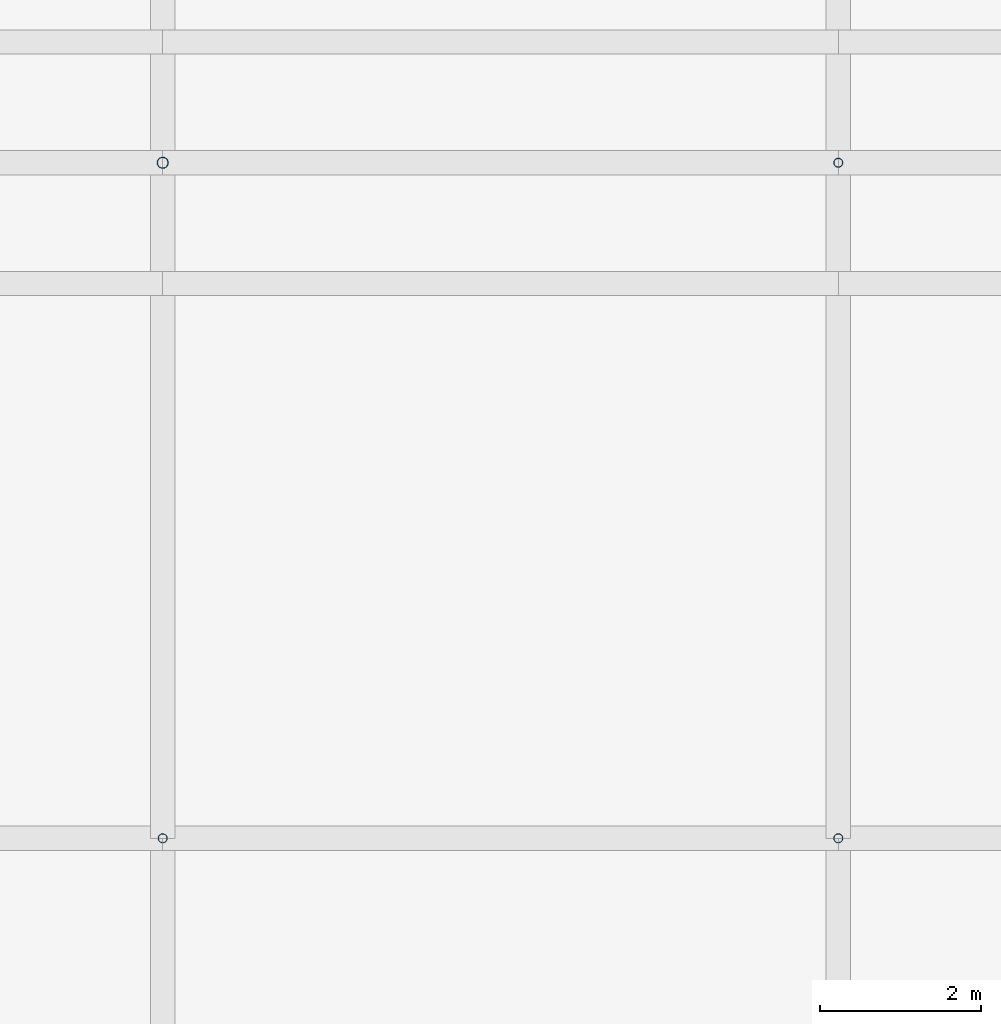
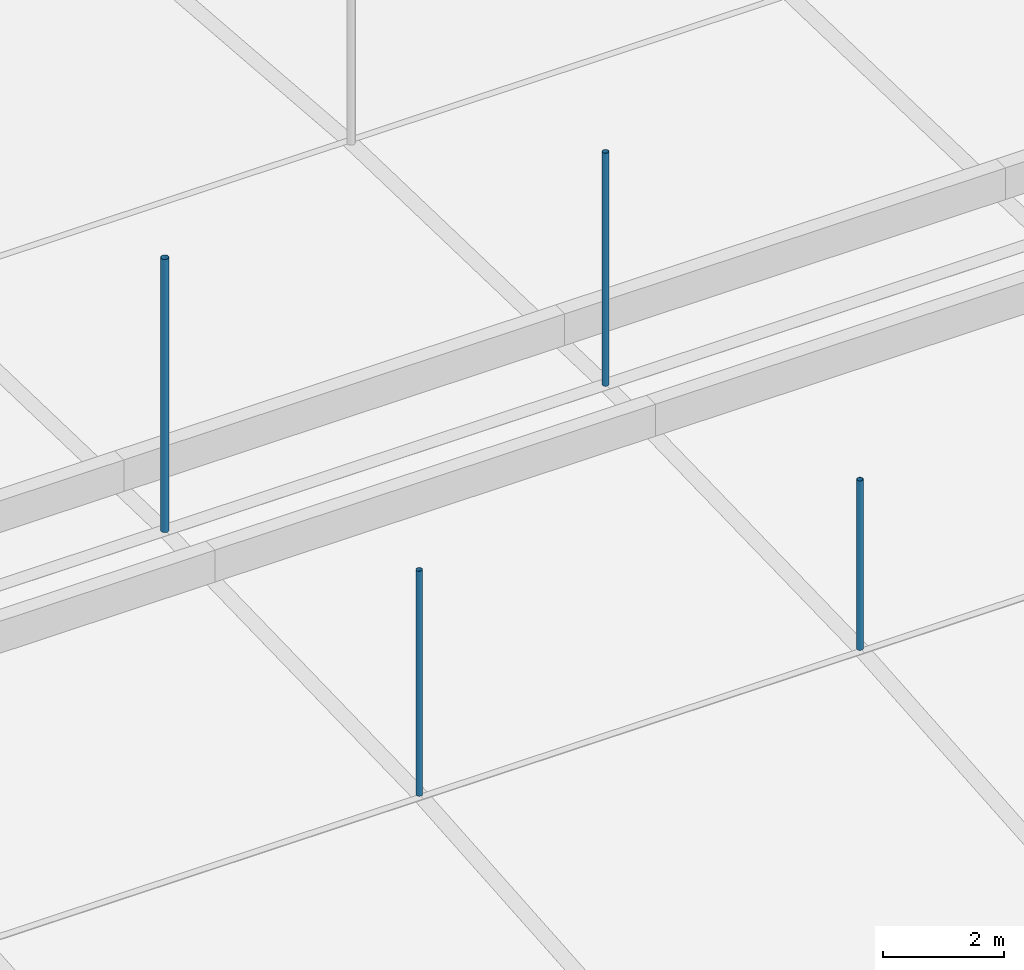
# One storey, part 14 of 37: 4 discrete accessories.
"""IFC4 building model written with IfcOpenShell, lengths in metres."""

from ifc_helpers import new_model, si_unit, direction, frame, origin, origin_2d, place, context, subcontext, project, spatial, hollow_circle, extrude, material, material_profile, profile_set, type_object, element, save


model = new_model("IFC4")

# Units and contexts
model_context = context("Model", 3, precision=1e-05, world=origin(), true_north=direction((0.0, 1.0)))
body_context = subcontext(model_context, "Body", "Model", "MODEL_VIEW")
ifc_project = project(units=[si_unit("LENGTHUNIT", "METRE"), si_unit("AREAUNIT", "SQUARE_METRE"), si_unit("VOLUMEUNIT", "CUBIC_METRE"), si_unit("PLANEANGLEUNIT", "RADIAN"), si_unit("MASSUNIT", "GRAM", prefix="KILO")], contexts=[model_context])

# Site, building, storey
site_placement = place(None, origin())
site = spatial("IfcSite", under=ifc_project, at=site_placement, CompositionType="ELEMENT")
building_placement = place(site_placement, origin())
building = spatial("IfcBuilding", under=site, at=building_placement, Name="Rain Tree Exposition and Congress Centre", CompositionType="ELEMENT")
storey_placement = place(building_placement, frame((0.0, 0.0, 25.0)))
storey = spatial("IfcBuildingStorey", under=building, at=storey_placement, Name="ROOF VAULT LOW", CompositionType="ELEMENT", Elevation=25.0)

# Discrete accessories
ifc_material_1 = material(Name="Steel S355J2H", Category="steel")
ifc_material_profile_1 = material_profile(ifc_material_1, hollow_circle(Radius=0.05712890625, WallThickness=0.00439453125, at=origin_2d()), Name="CHS 114x4.5")
ifc_profile_set_1 = profile_set([ifc_material_profile_1], Name="Steel S355J2H")
discrete_accessory_type_1 = type_object("IfcDiscreteAccessoryType", Name="Roof skin post CHS 114x4.5", PredefinedType="BRACKET", material=ifc_profile_set_1)
discrete_accessory_1_placement = place(storey_placement, frame((58.800048828125, 142.800048828125, 1.1728515625), z_axis=(0.0, 0.0, 1.0), x_axis=(1.0, 0.0, 0.0)))
element("IfcDiscreteAccessory", 1, at=discrete_accessory_1_placement, inside=storey, type_object=discrete_accessory_type_1, Name="Roof skin post A82", PredefinedType="BRACKET", context=body_context, shape_type="SweptSolid", body=[
    extrude(hollow_circle(Radius=0.05712890625, WallThickness=0.00439453125, at=origin_2d()), origin(), (0.0, 0.0, 1.0), 4.532958984375),
])
discrete_accessory_2_placement = place(storey_placement, frame((67.199951171875, 142.800048828125, 1.1728515625), z_axis=(0.0, 0.0, 1.0), x_axis=(1.0, 0.0, 0.0)))
element("IfcDiscreteAccessory", 2, at=discrete_accessory_2_placement, inside=storey, type_object=discrete_accessory_type_1, Name="Roof skin post A83", PredefinedType="BRACKET", context=body_context, shape_type="SweptSolid", body=[
    extrude(hollow_circle(Radius=0.05712890625, WallThickness=0.00439453125, at=origin_2d()), origin(), (0.0, 0.0, 1.0), 3.4111328125),
])
discrete_accessory_3_placement = place(storey_placement, frame((67.199951171875, 151.199951171875, 1.39990234375), z_axis=(0.0, 0.0, 1.0), x_axis=(1.0, 0.0, 0.0)))
element("IfcDiscreteAccessory", 3, at=discrete_accessory_3_placement, inside=storey, type_object=discrete_accessory_type_1, Name="Roof skin post A98", PredefinedType="BRACKET", context=body_context, shape_type="SweptSolid", body=[
    extrude(hollow_circle(Radius=0.05712890625, WallThickness=0.00439453125, at=origin_2d()), origin(), (0.0, 0.0, 1.0), 4.694580078125),
])
ifc_material_2 = material(Name="Steel S355J2H", Category="steel")
ifc_material_profile_2 = material_profile(ifc_material_2, hollow_circle(Radius=0.06982421875, WallThickness=0.0048828125, at=origin_2d()), Name="CHS 140x5")
ifc_profile_set_2 = profile_set([ifc_material_profile_2], Name="Steel S355J2H")
discrete_accessory_type_2 = type_object("IfcDiscreteAccessoryType", Name="Roof skin post CHS 140x5", PredefinedType="BRACKET", material=ifc_profile_set_2)
discrete_accessory_4_placement = place(storey_placement, frame((58.800048828125, 151.199951171875, 1.39990234375), z_axis=(0.0, 0.0, 1.0), x_axis=(1.0, 0.0, 0.0)))
element("IfcDiscreteAccessory", 4, at=discrete_accessory_4_placement, inside=storey, type_object=discrete_accessory_type_2, Name="Roof skin post A97", PredefinedType="BRACKET", context=body_context, shape_type="SweptSolid", body=[
    extrude(hollow_circle(Radius=0.06982421875, WallThickness=0.0048828125, at=origin_2d()), origin(), (0.0, 0.0, 1.0), 5.502685546875),
])

save(model, "model.ifc")
